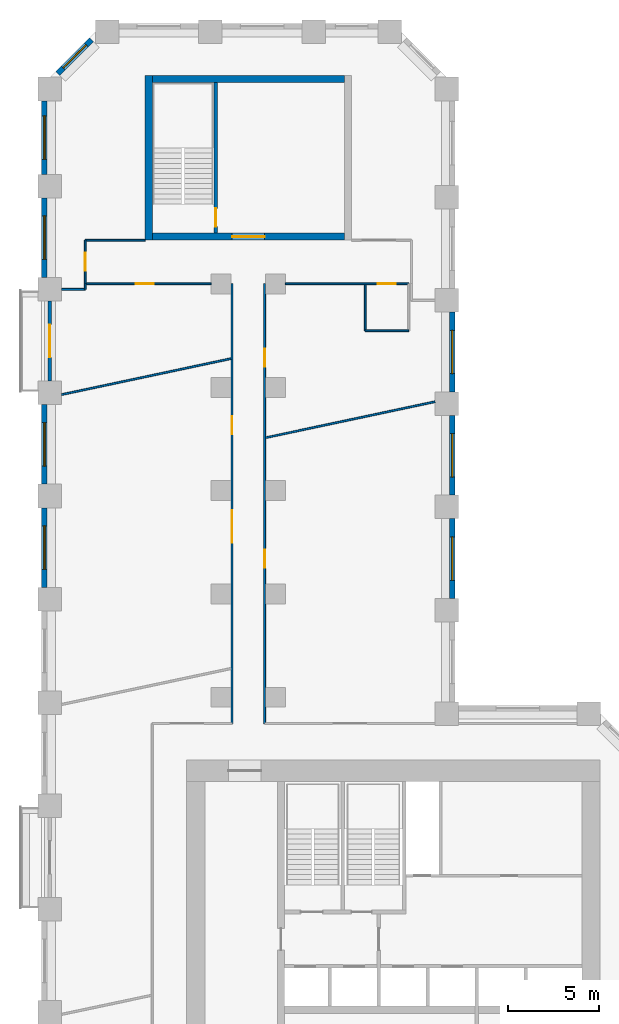
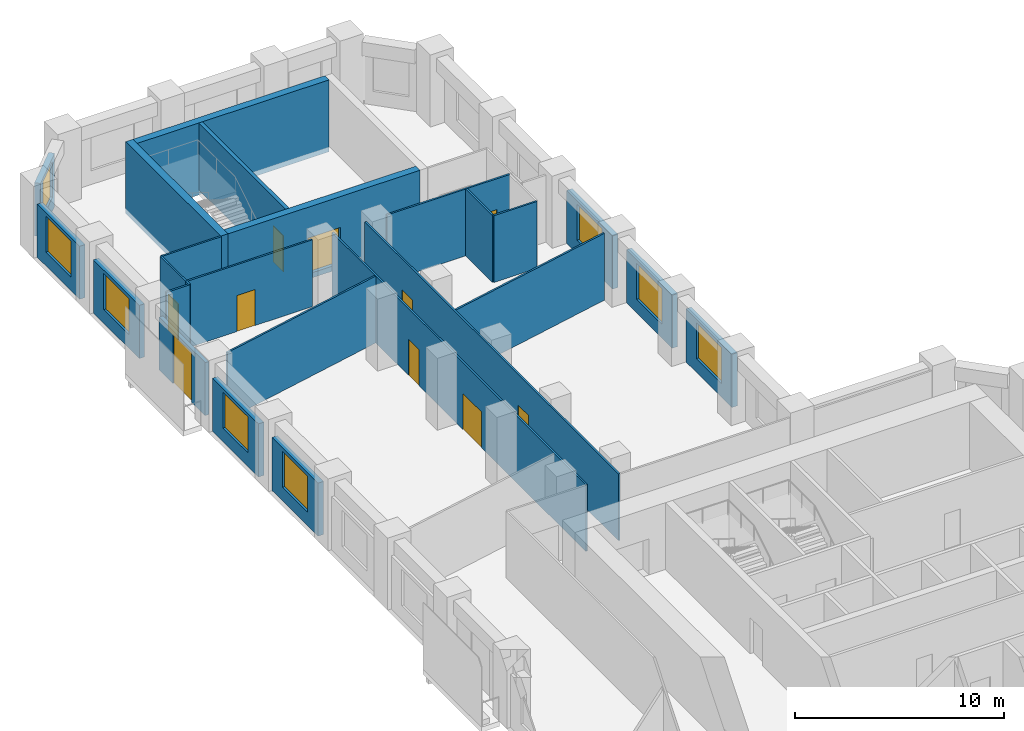
# One storey, part 8 of 11: 25 walls, 10 doors, 8 windows, 18 openings.
"""IFC4 building model written with IfcOpenShell, lengths in metres."""

from ifc_helpers import new_model, si_unit, direction, frame, frame_2d, origin, place, context, subcontext, project, spatial, rectangle, extrude, material, layer, layer_set, type_object, element, fill, save


model = new_model("IFC4")

# Units and contexts
model_context = context("Model", 3, precision=1e-05, world=origin(), true_north=direction((0.0, 1.0)))
body_context = subcontext(model_context, "Body", "Model", "MODEL_VIEW")
ifc_project = project(units=[si_unit("LENGTHUNIT", "METRE"), si_unit("AREAUNIT", "SQUARE_METRE"), si_unit("VOLUMEUNIT", "CUBIC_METRE"), si_unit("PLANEANGLEUNIT", "RADIAN"), si_unit("MASSUNIT", "GRAM", prefix="KILO")], contexts=[model_context])

# Site, building, storey
site_placement = place(None, origin())
site = spatial("IfcSite", under=ifc_project, at=site_placement, CompositionType="ELEMENT")
building_placement = place(site_placement, origin())
building = spatial("IfcBuilding", under=site, at=building_placement, Name="Meshkara Civic Tower", CompositionType="ELEMENT")
storey_placement = place(building_placement, frame((0.0, 0.0, 143.39990234375)))
storey = spatial("IfcBuildingStorey", under=building, at=storey_placement, Name="L32", CompositionType="ELEMENT", Elevation=143.39990234375)

# Wall, opening, door
ifc_material_1 = material(Name="Corridor wall 100")
ifc_layer_1 = layer(ifc_material_1, 0.10009765625)
ifc_layer_set_1 = layer_set([ifc_layer_1], Name="Corridor wall 100")
wall_type_1 = type_object("IfcWallType", Name="Corridor wall 100", PredefinedType="PARTITIONING", material=ifc_layer_set_1)
wall_1_placement = place(storey_placement, frame((2.39990234375, 63.169921875, 0.0), z_axis=(0.0, 0.0, 1.0), x_axis=(1.0, 0.0, 0.0)))
wall_1 = element("IfcWall", 1, at=wall_1_placement, inside=storey, type_object=wall_type_1, Name="L32-W001", PredefinedType="PARTITIONING", context=body_context, shape_type="SweptSolid", body=[
    extrude(rectangle(XDim=6.9501953125, YDim=0.10009765625, at=frame_2d((3.47509765625, 0.0))), origin(), (0.0, 0.0, 1.0), 3.900146484375),
])
opening_1_placement = place(wall_1_placement, frame((2.780029296875, 0.0, 0.0)))
opening_1 = element("IfcOpeningElement", 2, at=opening_1_placement, cuts=wall_1, Name="Opening L32-D023", PredefinedType="OPENING", context=body_context, shape_type="SweptSolid", body=[
    extrude(rectangle(XDim=1.0, YDim=2.10009765625, at=frame_2d((0.5, 1.050048828125))), frame((0.0, 0.06005859375, 0.0), z_axis=(0.0, -1.0, 0.0), x_axis=(1.0, 0.0, 0.0)), (0.0, 0.0, 1.0), 0.1201171875),
])
ifc_material_2 = material(Name="Door 1000 x 2100")
door_type_1 = type_object("IfcDoorType", Name="Door 1000 x 2100", OperationType="SINGLE_SWING_LEFT", PredefinedType="DOOR", material=ifc_material_2)
door_1_placement = place(opening_1_placement, origin())
door_1 = element("IfcDoor", 3, at=door_1_placement, inside=storey, type_object=door_type_1, Name="L32-D023", OperationType="SINGLE_SWING_RIGHT", OverallHeight=2.10009765625, OverallWidth=1.0, PredefinedType="DOOR", context=body_context, shape_type="SweptSolid", body=[
    extrude(rectangle(XDim=1.0, YDim=2.10009765625, at=frame_2d((0.5, 1.050048828125))), frame((0.0, 0.02490234375, 0.0), z_axis=(0.0, -1.0, 0.0), x_axis=(1.0, 0.0, 0.0)), (0.0, 0.0, 1.0), 0.050048828125),
])
fill(opening_1, door_1)

wall_2_placement = place(storey_placement, frame((2.39990234375, 65.570068359375, 0.0), z_axis=(0.0, 0.0, 1.0), x_axis=(0.0, -1.0, 0.0)))
wall_2 = element("IfcWall", 4, at=wall_2_placement, inside=storey, type_object=wall_type_1, Name="L32-W002", PredefinedType="PARTITIONING", context=body_context, shape_type="SweptSolid", body=[
    extrude(rectangle(XDim=2.400146484375, YDim=0.10009765625, at=frame_2d((1.2001953125, 0.0))), origin(), (0.0, 0.0, 1.0), 3.900146484375),
])
opening_2_placement = place(wall_2_placement, frame((0.679931640625, 0.0, 0.0)))
opening_2 = element("IfcOpeningElement", 5, at=opening_2_placement, cuts=wall_2, Name="Opening L32-D022", PredefinedType="OPENING", context=body_context, shape_type="SweptSolid", body=[
    extrude(rectangle(XDim=1.0, YDim=2.10009765625, at=frame_2d((0.5, 1.050048828125))), frame((0.0, 0.06005859375, 0.0), z_axis=(0.0, -1.0, 0.0), x_axis=(1.0, 0.0, 0.0)), (0.0, 0.0, 1.0), 0.1201171875),
])
door_2_placement = place(opening_2_placement, origin())
door_2 = element("IfcDoor", 6, at=door_2_placement, inside=storey, type_object=door_type_1, Name="L32-D022", OperationType="SINGLE_SWING_RIGHT", OverallHeight=2.10009765625, OverallWidth=1.0, PredefinedType="DOOR", context=body_context, shape_type="SweptSolid", body=[
    extrude(rectangle(XDim=1.0, YDim=2.10009765625, at=frame_2d((0.5, 1.050048828125))), frame((0.0, 0.02490234375, 0.0), z_axis=(0.0, -1.0, 0.0), x_axis=(1.0, 0.0, 0.0)), (0.0, 0.0, 1.0), 0.050048828125),
])
fill(opening_2, door_2)

# Wall
wall_3_placement = place(storey_placement, frame((5.699951171875, 65.570068359375, 0.0), z_axis=(0.0, 0.0, 1.0), x_axis=(-1.0, 0.0, 0.0)))
element("IfcWall", 7, at=wall_3_placement, inside=storey, type_object=wall_type_1, Name="L32-W003", PredefinedType="PARTITIONING", context=body_context, shape_type="SweptSolid", body=[
    extrude(rectangle(XDim=3.300048828125, YDim=0.10009765625, at=frame_2d((1.64990234375, 0.0))), origin(), (0.0, 0.0, 1.0), 3.900146484375),
])

# Wall, openings, doors
wall_4_placement = place(storey_placement, frame((10.5, 63.169921875, 0.0), z_axis=(0.0, 0.0, 1.0), x_axis=(0.0, -1.0, 0.0)))
wall_4 = element("IfcWall", 8, at=wall_4_placement, inside=storey, type_object=wall_type_1, Name="L32-W012", PredefinedType="PARTITIONING", context=body_context, shape_type="SweptSolid", body=[
    extrude(rectangle(XDim=24.27001953125, YDim=0.10009765625, at=frame_2d((12.135009765625, 0.0))), origin(), (0.0, 0.0, 1.0), 3.900146484375),
])
opening_3_placement = place(wall_4_placement, frame((12.5029296875, 0.0, 0.0)))
opening_3 = element("IfcOpeningElement", 9, at=opening_3_placement, cuts=wall_4, Name="Opening L32-D019", PredefinedType="OPENING", context=body_context, shape_type="SweptSolid", body=[
    extrude(rectangle(XDim=1.800048828125, YDim=2.10009765625, at=frame_2d((0.89990234375, 1.050048828125))), frame((0.0, 0.06005859375, 0.0), z_axis=(0.0, -1.0, 0.0), x_axis=(1.0, 0.0, 0.0)), (0.0, 0.0, 1.0), 0.1201171875),
])
opening_4_placement = place(wall_4_placement, frame((7.302978515625, 0.0, 0.0)))
opening_4 = element("IfcOpeningElement", 10, at=opening_4_placement, cuts=wall_4, Name="Opening L32-D020", PredefinedType="OPENING", context=body_context, shape_type="SweptSolid", body=[
    extrude(rectangle(XDim=1.0, YDim=2.10009765625, at=frame_2d((0.5, 1.050048828125))), frame((0.0, 0.06005859375, 0.0), z_axis=(0.0, -1.0, 0.0), x_axis=(1.0, 0.0, 0.0)), (0.0, 0.0, 1.0), 0.1201171875),
])
door_3_placement = place(opening_4_placement, origin())
door_3 = element("IfcDoor", 11, at=door_3_placement, inside=storey, type_object=door_type_1, Name="L32-D020", OperationType="SINGLE_SWING_RIGHT", OverallHeight=2.10009765625, OverallWidth=1.0, PredefinedType="DOOR", context=body_context, shape_type="SweptSolid", body=[
    extrude(rectangle(XDim=1.0, YDim=2.10009765625, at=frame_2d((0.5, 1.050048828125))), frame((0.0, 0.02490234375, 0.0), z_axis=(0.0, -1.0, 0.0), x_axis=(1.0, 0.0, 0.0)), (0.0, 0.0, 1.0), 0.050048828125),
])
fill(opening_4, door_3)
ifc_material_3 = material(Name="Door pair 1800 x 2100")
door_type_2 = type_object("IfcDoorType", Name="Door pair 1800 x 2100", OperationType="SINGLE_SWING_LEFT", PredefinedType="DOOR", material=ifc_material_3)
door_4_placement = place(opening_3_placement, origin())
door_4 = element("IfcDoor", 12, at=door_4_placement, inside=storey, type_object=door_type_2, Name="L32-D019", OperationType="DOUBLE_DOOR_SINGLE_SWING", OverallHeight=2.10009765625, OverallWidth=1.800048828125, PredefinedType="DOOR", context=body_context, shape_type="SweptSolid", body=[
    extrude(rectangle(XDim=1.800048828125, YDim=2.10009765625, at=frame_2d((0.89990234375, 1.050048828125))), frame((0.0, 0.02490234375, 0.0), z_axis=(0.0, -1.0, 0.0), x_axis=(1.0, 0.0, 0.0)), (0.0, 0.0, 1.0), 0.050048828125),
])
fill(opening_3, door_4)

wall_5_placement = place(storey_placement, frame((12.300048828125, 63.169921875, 0.0), z_axis=(0.0, 0.0, 1.0), x_axis=(0.0, -1.0, 0.0)))
wall_5 = element("IfcWall", 13, at=wall_5_placement, inside=storey, type_object=wall_type_1, Name="L32-W013", PredefinedType="PARTITIONING", context=body_context, shape_type="SweptSolid", body=[
    extrude(rectangle(XDim=24.27001953125, YDim=0.10009765625, at=frame_2d((12.135009765625, 0.0))), origin(), (0.0, 0.0, 1.0), 3.900146484375),
])
opening_5_placement = place(wall_5_placement, frame((14.678955078125, 0.0, 0.0)))
opening_5 = element("IfcOpeningElement", 14, at=opening_5_placement, cuts=wall_5, Name="Opening L32-D018", PredefinedType="OPENING", context=body_context, shape_type="SweptSolid", body=[
    extrude(rectangle(XDim=1.0, YDim=2.10009765625, at=frame_2d((0.5, 1.050048828125))), frame((0.0, 0.06005859375, 0.0), z_axis=(0.0, -1.0, 0.0), x_axis=(1.0, 0.0, 0.0)), (0.0, 0.0, 1.0), 0.1201171875),
])
opening_6_placement = place(wall_5_placement, frame((3.580078125, 0.0, 0.0)))
opening_6 = element("IfcOpeningElement", 15, at=opening_6_placement, cuts=wall_5, Name="Opening L32-D021", PredefinedType="OPENING", context=body_context, shape_type="SweptSolid", body=[
    extrude(rectangle(XDim=1.0, YDim=2.10009765625, at=frame_2d((0.5, 1.050048828125))), frame((0.0, 0.06005859375, 0.0), z_axis=(0.0, -1.0, 0.0), x_axis=(1.0, 0.0, 0.0)), (0.0, 0.0, 1.0), 0.1201171875),
])
door_5_placement = place(opening_5_placement, origin())
door_5 = element("IfcDoor", 16, at=door_5_placement, inside=storey, type_object=door_type_1, Name="L32-D018", OperationType="SINGLE_SWING_LEFT", OverallHeight=2.10009765625, OverallWidth=1.0, PredefinedType="DOOR", context=body_context, shape_type="SweptSolid", body=[
    extrude(rectangle(XDim=1.0, YDim=2.10009765625, at=frame_2d((0.5, 1.050048828125))), frame((0.0, 0.02490234375, 0.0), z_axis=(0.0, -1.0, 0.0), x_axis=(1.0, 0.0, 0.0)), (0.0, 0.0, 1.0), 0.050048828125),
])
fill(opening_5, door_5)
door_6_placement = place(opening_6_placement, origin())
door_6 = element("IfcDoor", 17, at=door_6_placement, inside=storey, type_object=door_type_1, Name="L32-D021", OperationType="SINGLE_SWING_LEFT", OverallHeight=2.10009765625, OverallWidth=1.0, PredefinedType="DOOR", context=body_context, shape_type="SweptSolid", body=[
    extrude(rectangle(XDim=1.0, YDim=2.10009765625, at=frame_2d((0.5, 1.050048828125))), frame((0.0, 0.02490234375, 0.0), z_axis=(0.0, -1.0, 0.0), x_axis=(1.0, 0.0, 0.0)), (0.0, 0.0, 1.0), 0.050048828125),
])
fill(opening_6, door_6)

# Wall, opening, door
wall_6_placement = place(storey_placement, frame((13.449951171875, 63.169921875, 0.0), z_axis=(0.0, 0.0, 1.0), x_axis=(1.0, 0.0, 0.0)))
wall_6 = element("IfcWall", 18, at=wall_6_placement, inside=storey, type_object=wall_type_1, Name="L32-W015", PredefinedType="PARTITIONING", context=body_context, shape_type="SweptSolid", body=[
    extrude(rectangle(XDim=6.800048828125, YDim=0.10009765625, at=frame_2d((3.39990234375, 0.0))), origin(), (0.0, 0.0, 1.0), 3.900146484375),
])
opening_7_placement = place(wall_6_placement, frame((5.080078125, 0.0, 0.0)))
opening_7 = element("IfcOpeningElement", 19, at=opening_7_placement, cuts=wall_6, Name="Opening L32-D025", PredefinedType="OPENING", context=body_context, shape_type="SweptSolid", body=[
    extrude(rectangle(XDim=1.0, YDim=2.10009765625, at=frame_2d((0.5, 1.050048828125))), frame((0.0, 0.06005859375, 0.0), z_axis=(0.0, -1.0, 0.0), x_axis=(1.0, 0.0, 0.0)), (0.0, 0.0, 1.0), 0.1201171875),
])
door_7_placement = place(opening_7_placement, origin())
door_7 = element("IfcDoor", 20, at=door_7_placement, inside=storey, type_object=door_type_1, Name="L32-D025", OperationType="SINGLE_SWING_RIGHT", OverallHeight=2.10009765625, OverallWidth=1.0, PredefinedType="DOOR", context=body_context, shape_type="SweptSolid", body=[
    extrude(rectangle(XDim=1.0, YDim=2.10009765625, at=frame_2d((0.5, 1.050048828125))), frame((0.0, 0.02490234375, 0.0), z_axis=(0.0, -1.0, 0.0), x_axis=(1.0, 0.0, 0.0)), (0.0, 0.0, 1.0), 0.050048828125),
])
fill(opening_7, door_7)

# Wall, opening, window
ifc_material_4 = material(Name="Insulated infill panel with bronze anodised aluminium cladding", Category="aluminium")
ifc_layer_2 = layer(ifc_material_4, 0.300048828125)
ifc_layer_set_2 = layer_set([ifc_layer_2], Name="EXTERNAL INFILL WALL 300")
wall_type_2 = type_object("IfcWallType", Name="EXTERNAL INFILL WALL 300", PredefinedType="SOLIDWALL", material=ifc_layer_set_2)
wall_7_placement = place(storey_placement, frame((22.64990234375, 45.800048828125, 0.0), z_axis=(0.0, 0.0, 1.0), x_axis=(0.0, 1.0, 0.0)))
wall_7 = element("IfcWall", 21, at=wall_7_placement, inside=storey, type_object=wall_type_2, Name="External wall", PredefinedType="SOLIDWALL", context=body_context, shape_type="SweptSolid", body=[
    extrude(rectangle(XDim=4.39990234375, YDim=0.300048828125, at=frame_2d((2.199951171875, 0.0))), origin(), (0.0, 0.0, 1.0), 3.10009765625),
])
opening_8_placement = place(wall_7_placement, frame((1.0, 0.0, 0.800048828125)))
opening_8 = element("IfcOpeningElement", 22, at=opening_8_placement, cuts=wall_7, Name="Opening W7", PredefinedType="OPENING", context=body_context, shape_type="SweptSolid", body=[
    extrude(rectangle(XDim=2.39990234375, YDim=2.10009765625, at=frame_2d((1.199951171875, 1.050048828125))), frame((0.0, 0.159912109375, 0.0), z_axis=(0.0, -1.0, 0.0), x_axis=(1.0, 0.0, 0.0)), (0.0, 0.0, 1.0), 0.320068359375),
])
ifc_material_5 = material(Name="Tinted double glazing", Category="glass")
window_type_1 = type_object("IfcWindowType", Name="WINDOW 2400x2100", PartitioningType="DOUBLE_PANEL_VERTICAL", PredefinedType="WINDOW", material=ifc_material_5)
window_1_placement = place(opening_8_placement, origin())
window_1 = element("IfcWindow", 23, at=window_1_placement, inside=storey, type_object=window_type_1, Name="Window", OverallHeight=2.10009765625, OverallWidth=2.39990234375, PartitioningType="DOUBLE_PANEL_VERTICAL", PredefinedType="WINDOW", context=body_context, shape_type="SweptSolid", body=[
    extrude(rectangle(XDim=2.39990234375, YDim=2.10009765625, at=frame_2d((1.199951171875, 1.050048828125))), frame((0.0, 0.030029296875, 0.0), z_axis=(0.0, -1.0, 0.0), x_axis=(1.0, 0.0, 0.0)), (0.0, 0.0, 1.0), 0.06005859375),
])
fill(opening_8, window_1)

wall_8_placement = place(storey_placement, frame((22.64990234375, 51.5, 0.0), z_axis=(0.0, 0.0, 1.0), x_axis=(0.0, 1.0, 0.0)))
wall_8 = element("IfcWall", 24, at=wall_8_placement, inside=storey, type_object=wall_type_2, Name="External wall", PredefinedType="SOLIDWALL", context=body_context, shape_type="SweptSolid", body=[
    extrude(rectangle(XDim=4.39990234375, YDim=0.300048828125, at=frame_2d((2.199951171875, 0.0))), origin(), (0.0, 0.0, 1.0), 3.10009765625),
])
opening_9_placement = place(wall_8_placement, frame((1.0, 0.0, 0.800048828125)))
opening_9 = element("IfcOpeningElement", 25, at=opening_9_placement, cuts=wall_8, Name="Opening W7", PredefinedType="OPENING", context=body_context, shape_type="SweptSolid", body=[
    extrude(rectangle(XDim=2.39990234375, YDim=2.10009765625, at=frame_2d((1.199951171875, 1.050048828125))), frame((0.0, 0.159912109375, 0.0), z_axis=(0.0, -1.0, 0.0), x_axis=(1.0, 0.0, 0.0)), (0.0, 0.0, 1.0), 0.320068359375),
])
window_2_placement = place(opening_9_placement, origin())
window_2 = element("IfcWindow", 26, at=window_2_placement, inside=storey, type_object=window_type_1, Name="Window", OverallHeight=2.10009765625, OverallWidth=2.39990234375, PartitioningType="DOUBLE_PANEL_VERTICAL", PredefinedType="WINDOW", context=body_context, shape_type="SweptSolid", body=[
    extrude(rectangle(XDim=2.39990234375, YDim=2.10009765625, at=frame_2d((1.199951171875, 1.050048828125))), frame((0.0, 0.030029296875, 0.0), z_axis=(0.0, -1.0, 0.0), x_axis=(1.0, 0.0, 0.0)), (0.0, 0.0, 1.0), 0.06005859375),
])
fill(opening_9, window_2)

wall_9_placement = place(storey_placement, frame((22.64990234375, 57.199951171875, 0.0), z_axis=(0.0, 0.0, 1.0), x_axis=(0.0, 1.0, 0.0)))
wall_9 = element("IfcWall", 27, at=wall_9_placement, inside=storey, type_object=wall_type_2, Name="External wall", PredefinedType="SOLIDWALL", context=body_context, shape_type="SweptSolid", body=[
    extrude(rectangle(XDim=4.400146484375, YDim=0.300048828125, at=frame_2d((2.2001953125, 0.0))), origin(), (0.0, 0.0, 1.0), 3.10009765625),
])
opening_10_placement = place(wall_9_placement, frame((1.0, 0.0, 0.800048828125)))
opening_10 = element("IfcOpeningElement", 28, at=opening_10_placement, cuts=wall_9, Name="Opening W7", PredefinedType="OPENING", context=body_context, shape_type="SweptSolid", body=[
    extrude(rectangle(XDim=2.39990234375, YDim=2.10009765625, at=frame_2d((1.199951171875, 1.050048828125))), frame((0.0, 0.159912109375, 0.0), z_axis=(0.0, -1.0, 0.0), x_axis=(1.0, 0.0, 0.0)), (0.0, 0.0, 1.0), 0.320068359375),
])
window_3_placement = place(opening_10_placement, origin())
window_3 = element("IfcWindow", 29, at=window_3_placement, inside=storey, type_object=window_type_1, Name="Window", OverallHeight=2.10009765625, OverallWidth=2.39990234375, PartitioningType="DOUBLE_PANEL_VERTICAL", PredefinedType="WINDOW", context=body_context, shape_type="SweptSolid", body=[
    extrude(rectangle(XDim=2.39990234375, YDim=2.10009765625, at=frame_2d((1.199951171875, 1.050048828125))), frame((0.0, 0.030029296875, 0.0), z_axis=(0.0, -1.0, 0.0), x_axis=(1.0, 0.0, 0.0)), (0.0, 0.0, 1.0), 0.06005859375),
])
fill(opening_10, window_3)

wall_10_placement = place(storey_placement, frame((2.743896484375, 76.632080078125, 0.0), z_axis=(0.0, 0.0, 1.0), x_axis=(-0.707060274772, -0.707153284542, 0.0)))
wall_10 = element("IfcWall", 30, at=wall_10_placement, inside=storey, type_object=wall_type_2, Name="External wall", PredefinedType="SOLIDWALL", context=body_context, shape_type="SweptSolid", body=[
    extrude(rectangle(XDim=2.625, YDim=0.300048828125, at=frame_2d((1.3125, 0.0))), origin(), (0.0, 0.0, 1.0), 3.10009765625),
])
opening_11_placement = place(wall_10_placement, frame((0.412109375, 0.0, 0.800048828125)))
opening_11 = element("IfcOpeningElement", 31, at=opening_11_placement, cuts=wall_10, Name="Opening W9", PredefinedType="OPENING", context=body_context, shape_type="SweptSolid", body=[
    extrude(rectangle(XDim=1.800048828125, YDim=2.10009765625, at=frame_2d((0.89990234375, 1.050048828125))), frame((0.0, 0.159912109375, 0.0), z_axis=(0.0, -1.0, 0.0), x_axis=(1.0, 0.0, 0.0)), (0.0, 0.0, 1.0), 0.320068359375),
])
ifc_material_6 = material(Name="Tinted double glazing", Category="glass")
window_type_2 = type_object("IfcWindowType", Name="WINDOW 1800x2100", PartitioningType="DOUBLE_PANEL_VERTICAL", PredefinedType="WINDOW", material=ifc_material_6)
window_4_placement = place(opening_11_placement, origin())
window_4 = element("IfcWindow", 32, at=window_4_placement, inside=storey, type_object=window_type_2, Name="Window", OverallHeight=2.10009765625, OverallWidth=1.800048828125, PartitioningType="DOUBLE_PANEL_VERTICAL", PredefinedType="WINDOW", context=body_context, shape_type="SweptSolid", body=[
    extrude(rectangle(XDim=1.800048828125, YDim=2.10009765625, at=frame_2d((0.89990234375, 1.050048828125))), frame((0.0, 0.030029296875, 0.0), z_axis=(0.0, -1.0, 0.0), x_axis=(1.0, 0.0, 0.0)), (0.0, 0.0, 1.0), 0.06005859375),
])
fill(opening_11, window_4)

wall_11_placement = place(storey_placement, frame((0.14990234375, 73.263916015625, 0.0), z_axis=(0.0, 0.0, 1.0), x_axis=(0.0, -1.0, 0.0)))
wall_11 = element("IfcWall", 33, at=wall_11_placement, inside=storey, type_object=wall_type_2, Name="External wall", PredefinedType="SOLIDWALL", context=body_context, shape_type="SweptSolid", body=[
    extrude(rectangle(XDim=4.058837890625, YDim=0.300048828125, at=frame_2d((2.029296875, 0.0))), origin(), (0.0, 0.0, 1.0), 3.10009765625),
])
opening_12_placement = place(wall_11_placement, frame((0.8291015625, 0.0, 0.800048828125)))
opening_12 = element("IfcOpeningElement", 34, at=opening_12_placement, cuts=wall_11, Name="Opening W7", PredefinedType="OPENING", context=body_context, shape_type="SweptSolid", body=[
    extrude(rectangle(XDim=2.39990234375, YDim=2.10009765625, at=frame_2d((1.199951171875, 1.050048828125))), frame((0.0, 0.159912109375, 0.0), z_axis=(0.0, -1.0, 0.0), x_axis=(1.0, 0.0, 0.0)), (0.0, 0.0, 1.0), 0.320068359375),
])
window_5_placement = place(opening_12_placement, origin())
window_5 = element("IfcWindow", 35, at=window_5_placement, inside=storey, type_object=window_type_1, Name="Window", OverallHeight=2.10009765625, OverallWidth=2.39990234375, PartitioningType="DOUBLE_PANEL_VERTICAL", PredefinedType="WINDOW", context=body_context, shape_type="SweptSolid", body=[
    extrude(rectangle(XDim=2.39990234375, YDim=2.10009765625, at=frame_2d((1.199951171875, 1.050048828125))), frame((0.0, 0.030029296875, 0.0), z_axis=(0.0, -1.0, 0.0), x_axis=(1.0, 0.0, 0.0)), (0.0, 0.0, 1.0), 0.06005859375),
])
fill(opening_12, window_5)

wall_12_placement = place(storey_placement, frame((0.14990234375, 67.905029296875, 0.0), z_axis=(0.0, 0.0, 1.0), x_axis=(0.0, -1.0, 0.0)))
wall_12 = element("IfcWall", 36, at=wall_12_placement, inside=storey, type_object=wall_type_2, Name="External wall", PredefinedType="SOLIDWALL", context=body_context, shape_type="SweptSolid", body=[
    extrude(rectangle(XDim=4.400146484375, YDim=0.300048828125, at=frame_2d((2.2001953125, 0.0))), origin(), (0.0, 0.0, 1.0), 3.10009765625),
])
opening_13_placement = place(wall_12_placement, frame((1.0, 0.0, 0.800048828125)))
opening_13 = element("IfcOpeningElement", 37, at=opening_13_placement, cuts=wall_12, Name="Opening W7", PredefinedType="OPENING", context=body_context, shape_type="SweptSolid", body=[
    extrude(rectangle(XDim=2.39990234375, YDim=2.10009765625, at=frame_2d((1.199951171875, 1.050048828125))), frame((0.0, 0.159912109375, 0.0), z_axis=(0.0, -1.0, 0.0), x_axis=(1.0, 0.0, 0.0)), (0.0, 0.0, 1.0), 0.320068359375),
])
window_6_placement = place(opening_13_placement, origin())
window_6 = element("IfcWindow", 38, at=window_6_placement, inside=storey, type_object=window_type_1, Name="Window", OverallHeight=2.10009765625, OverallWidth=2.39990234375, PartitioningType="DOUBLE_PANEL_VERTICAL", PredefinedType="WINDOW", context=body_context, shape_type="SweptSolid", body=[
    extrude(rectangle(XDim=2.39990234375, YDim=2.10009765625, at=frame_2d((1.199951171875, 1.050048828125))), frame((0.0, 0.030029296875, 0.0), z_axis=(0.0, -1.0, 0.0), x_axis=(1.0, 0.0, 0.0)), (0.0, 0.0, 1.0), 0.06005859375),
])
fill(opening_13, window_6)

wall_13_placement = place(storey_placement, frame((0.14990234375, 56.5048828125, 0.0), z_axis=(0.0, 0.0, 1.0), x_axis=(0.0, -1.0, 0.0)))
wall_13 = element("IfcWall", 39, at=wall_13_placement, inside=storey, type_object=wall_type_2, Name="External wall", PredefinedType="SOLIDWALL", context=body_context, shape_type="SweptSolid", body=[
    extrude(rectangle(XDim=4.39990234375, YDim=0.300048828125, at=frame_2d((2.199951171875, 0.0))), origin(), (0.0, 0.0, 1.0), 3.10009765625),
])
opening_14_placement = place(wall_13_placement, frame((1.0, 0.0, 0.800048828125)))
opening_14 = element("IfcOpeningElement", 40, at=opening_14_placement, cuts=wall_13, Name="Opening W7", PredefinedType="OPENING", context=body_context, shape_type="SweptSolid", body=[
    extrude(rectangle(XDim=2.39990234375, YDim=2.10009765625, at=frame_2d((1.199951171875, 1.050048828125))), frame((0.0, 0.159912109375, 0.0), z_axis=(0.0, -1.0, 0.0), x_axis=(1.0, 0.0, 0.0)), (0.0, 0.0, 1.0), 0.320068359375),
])
window_7_placement = place(opening_14_placement, origin())
window_7 = element("IfcWindow", 41, at=window_7_placement, inside=storey, type_object=window_type_1, Name="Window", OverallHeight=2.10009765625, OverallWidth=2.39990234375, PartitioningType="DOUBLE_PANEL_VERTICAL", PredefinedType="WINDOW", context=body_context, shape_type="SweptSolid", body=[
    extrude(rectangle(XDim=2.39990234375, YDim=2.10009765625, at=frame_2d((1.199951171875, 1.050048828125))), frame((0.0, 0.030029296875, 0.0), z_axis=(0.0, -1.0, 0.0), x_axis=(1.0, 0.0, 0.0)), (0.0, 0.0, 1.0), 0.06005859375),
])
fill(opening_14, window_7)

wall_14_placement = place(storey_placement, frame((0.14990234375, 50.804931640625, 0.0), z_axis=(0.0, 0.0, 1.0), x_axis=(0.0, -1.0, 0.0)))
wall_14 = element("IfcWall", 42, at=wall_14_placement, inside=storey, type_object=wall_type_2, Name="External wall", PredefinedType="SOLIDWALL", context=body_context, shape_type="SweptSolid", body=[
    extrude(rectangle(XDim=4.39990234375, YDim=0.300048828125, at=frame_2d((2.199951171875, 0.0))), origin(), (0.0, 0.0, 1.0), 3.10009765625),
])
opening_15_placement = place(wall_14_placement, frame((1.0, 0.0, 0.800048828125)))
opening_15 = element("IfcOpeningElement", 43, at=opening_15_placement, cuts=wall_14, Name="Opening W7", PredefinedType="OPENING", context=body_context, shape_type="SweptSolid", body=[
    extrude(rectangle(XDim=2.39990234375, YDim=2.10009765625, at=frame_2d((1.199951171875, 1.050048828125))), frame((0.0, 0.159912109375, 0.0), z_axis=(0.0, -1.0, 0.0), x_axis=(1.0, 0.0, 0.0)), (0.0, 0.0, 1.0), 0.320068359375),
])
window_8_placement = place(opening_15_placement, origin())
window_8 = element("IfcWindow", 44, at=window_8_placement, inside=storey, type_object=window_type_1, Name="Window", OverallHeight=2.10009765625, OverallWidth=2.39990234375, PartitioningType="DOUBLE_PANEL_VERTICAL", PredefinedType="WINDOW", context=body_context, shape_type="SweptSolid", body=[
    extrude(rectangle(XDim=2.39990234375, YDim=2.10009765625, at=frame_2d((1.199951171875, 1.050048828125))), frame((0.0, 0.030029296875, 0.0), z_axis=(0.0, -1.0, 0.0), x_axis=(1.0, 0.0, 0.0)), (0.0, 0.0, 1.0), 0.06005859375),
])
fill(opening_15, window_8)

# Wall
ifc_material_7 = material(Name="Concrete C70", Category="concrete")
ifc_layer_3 = layer(ifc_material_7, 0.39990234375)
ifc_layer_set_3 = layer_set([ifc_layer_3], Name="End core ring wall 400 C70")
wall_type_3 = type_object("IfcWallType", Name="End core ring wall 400 C70", PredefinedType="SHEAR", material=ifc_layer_set_3)
wall_15_placement = place(storey_placement, frame((5.89990234375, 65.570068359375, -0.2998046875), z_axis=(0.0, 0.0, 1.0), x_axis=(0.0, 1.0, 0.0)))
element("IfcWall", 45, at=wall_15_placement, inside=storey, type_object=wall_type_3, Name="L32-C025", PredefinedType="SHEAR", context=body_context, shape_type="SweptSolid", body=[
    extrude(rectangle(XDim=9.099853515625, YDim=0.39990234375, at=frame_2d((4.5498046875, 0.0))), origin(), (0.0, 0.0, 1.0), 4.199951171875),
])

# Wall, opening, door
wall_16_placement = place(storey_placement, frame((6.10009765625, 65.77001953125, -0.2998046875), z_axis=(0.0, 0.0, 1.0), x_axis=(1.0, 0.0, 0.0)))
wall_16 = element("IfcWall", 46, at=wall_16_placement, inside=storey, type_object=wall_type_3, Name="L32-C027", PredefinedType="SHEAR", context=body_context, shape_type="SweptSolid", body=[
    extrude(rectangle(XDim=10.599853515625, YDim=0.39990234375, at=frame_2d((5.2998046875, 0.0))), origin(), (0.0, 0.0, 1.0), 4.199951171875),
])
opening_16_placement = place(wall_16_placement, frame((4.39990234375, 0.0, 0.300048828125)))
opening_16 = element("IfcOpeningElement", 47, at=opening_16_placement, cuts=wall_16, Name="Opening L32-K102", PredefinedType="OPENING", context=body_context, shape_type="SweptSolid", body=[
    extrude(rectangle(XDim=1.800048828125, YDim=2.10009765625, at=frame_2d((0.89990234375, 1.050048828125))), frame((0.0, 0.2099609375, 0.0), z_axis=(0.0, -1.0, 0.0), x_axis=(1.0, 0.0, 0.0)), (0.0, 0.0, 1.0), 0.419921875),
])
ifc_material_8 = material(Name="Fire-rated door leaf in steel frame", Category="steel")
door_type_3 = type_object("IfcDoorType", Name="Core double door 1800 EI 60", OperationType="DOUBLE_DOOR_SINGLE_SWING", PredefinedType="DOOR", material=ifc_material_8)
door_8_placement = place(opening_16_placement, origin())
door_8 = element("IfcDoor", 48, at=door_8_placement, inside=storey, type_object=door_type_3, Name="L32-K102", OperationType="DOUBLE_DOOR_SINGLE_SWING", OverallHeight=2.10009765625, OverallWidth=1.800048828125, PredefinedType="DOOR", context=body_context, shape_type="SweptSolid", body=[
    extrude(rectangle(XDim=1.800048828125, YDim=2.10009765625, at=frame_2d((0.89990234375, 1.050048828125))), frame((0.0, 0.02490234375, 0.0), z_axis=(0.0, -1.0, 0.0), x_axis=(1.0, 0.0, 0.0)), (0.0, 0.0, 1.0), 0.050048828125),
])
fill(opening_16, door_8)

# Wall
wall_17_placement = place(storey_placement, frame((6.10009765625, 74.469970703125, -0.2998046875), z_axis=(0.0, 0.0, 1.0), x_axis=(1.0, 0.0, 0.0)))
element("IfcWall", 49, at=wall_17_placement, inside=storey, type_object=wall_type_3, Name="L32-C028", PredefinedType="SHEAR", context=body_context, shape_type="SweptSolid", body=[
    extrude(rectangle(XDim=10.599853515625, YDim=0.39990234375, at=frame_2d((5.2998046875, 0.0))), origin(), (0.0, 0.0, 1.0), 4.199951171875),
])

# Wall, opening, door
ifc_material_9 = material(Name="Insulated infill panel with bronze anodised aluminium cladding", Category="aluminium")
ifc_layer_4 = layer(ifc_material_9, 0.199951171875)
ifc_layer_set_4 = layer_set([ifc_layer_4], Name="LOGGIA BACK WALL 200")
wall_type_4 = type_object("IfcWallType", Name="LOGGIA BACK WALL 200", PredefinedType="SOLIDWALL", material=ifc_layer_set_4)
wall_18_placement = place(storey_placement, frame((0.449951171875, 62.2041015625, 0.0), z_axis=(0.0, 0.0, 1.0), x_axis=(0.0, -1.0, 0.0)))
wall_18 = element("IfcWall", 50, at=wall_18_placement, inside=storey, type_object=wall_type_4, Name="Loggia wall", PredefinedType="SOLIDWALL", context=body_context, shape_type="SweptSolid", body=[
    extrude(rectangle(XDim=4.399169921875, YDim=0.199951171875, at=frame_2d((2.19970703125, 0.0))), origin(), (0.0, 0.0, 1.0), 3.10009765625),
])
opening_17_placement = place(wall_18_placement, frame((1.299072265625, 0.0, 0.0)))
opening_17 = element("IfcOpeningElement", 51, at=opening_17_placement, cuts=wall_18, Name="Opening L32-L001", PredefinedType="OPENING", context=body_context, shape_type="SweptSolid", body=[
    extrude(rectangle(XDim=1.800048828125, YDim=2.89990234375, at=frame_2d((0.89990234375, 1.449951171875))), frame((0.0, 0.10986328125, 0.0), z_axis=(0.0, -1.0, 0.0), x_axis=(1.0, 0.0, 0.0)), (0.0, 0.0, 1.0), 0.219970703125),
])
ifc_material_10 = material(Name="Tinted double glazing", Category="glass")
door_type_4 = type_object("IfcDoorType", Name="LOGGIA DOOR 1800x2900", OperationType="DOUBLE_DOOR_SINGLE_SWING", PredefinedType="DOOR", material=ifc_material_10)
door_9_placement = place(opening_17_placement, origin())
door_9 = element("IfcDoor", 52, at=door_9_placement, inside=storey, type_object=door_type_4, Name="L32-L001", OperationType="DOUBLE_DOOR_SINGLE_SWING", OverallHeight=2.89990234375, OverallWidth=1.800048828125, PredefinedType="DOOR", context=body_context, shape_type="SweptSolid", body=[
    extrude(rectangle(XDim=1.800048828125, YDim=2.89990234375, at=frame_2d((0.89990234375, 1.449951171875))), frame((0.0, 0.02490234375, 0.0), z_axis=(0.0, -1.0, 0.0), x_axis=(1.0, 0.0, 0.0)), (0.0, 0.0, 1.0), 0.050048828125),
])
fill(opening_17, door_9)

# Walls
ifc_material_11 = material(Name="Partition 100")
ifc_layer_5 = layer(ifc_material_11, 0.10009765625)
ifc_layer_set_5 = layer_set([ifc_layer_5], Name="Partition 100")
wall_type_5 = type_object("IfcWallType", Name="Partition 100", PredefinedType="PARTITIONING", material=ifc_layer_set_5)
wall_19_placement = place(storey_placement, frame((2.39990234375, 62.85498046875, 0.0), z_axis=(0.0, 0.0, 1.0), x_axis=(-1.0, 0.0, 0.0)))
element("IfcWall", 53, at=wall_19_placement, inside=storey, type_object=wall_type_5, Name="L32-W031", PredefinedType="PARTITIONING", context=body_context, shape_type="SweptSolid", body=[
    extrude(rectangle(XDim=1.2998046875, YDim=0.10009765625, at=frame_2d((0.64990234375, 0.0))), origin(), (0.0, 0.0, 1.0), 3.900146484375),
])
wall_20_placement = place(storey_placement, frame((2.39990234375, 63.174072265625, 0.0), z_axis=(0.0, 0.0, 1.0), x_axis=(0.0, -1.0, 0.0)))
element("IfcWall", 54, at=wall_20_placement, inside=storey, type_object=wall_type_5, Name="L32-W032", PredefinedType="PARTITIONING", context=body_context, shape_type="SweptSolid", body=[
    extrude(rectangle(XDim=0.319091796875, YDim=0.10009765625, at=frame_2d((0.15966796875, 0.0))), origin(), (0.0, 0.0, 1.0), 3.900146484375),
])
wall_21_placement = place(storey_placement, frame((10.43994140625, 59.033935546875, 0.0), z_axis=(0.0, 0.0, 1.0), x_axis=(-0.978134931407, -0.207971286388, 0.0)))
element("IfcWall", 55, at=wall_21_placement, inside=storey, type_object=wall_type_5, Name="L32-W037", PredefinedType="PARTITIONING", context=body_context, shape_type="SweptSolid", body=[
    extrude(rectangle(XDim=9.548583984375, YDim=0.10009765625, at=frame_2d((4.7744140625, 0.0))), origin(), (0.0, 0.0, 1.0), 3.900146484375),
])
wall_22_placement = place(storey_placement, frame((17.85009765625, 60.570068359375, 0.0), z_axis=(0.0, 0.0, 1.0), x_axis=(0.0, 1.0, 0.0)))
element("IfcWall", 56, at=wall_22_placement, inside=storey, type_object=wall_type_5, Name="L32-W038", PredefinedType="PARTITIONING", context=body_context, shape_type="SweptSolid", body=[
    extrude(rectangle(XDim=2.550048828125, YDim=0.10009765625, at=frame_2d((1.27490234375, 0.0))), origin(), (0.0, 0.0, 1.0), 3.900146484375),
])
wall_23_placement = place(storey_placement, frame((20.25, 60.570068359375, 0.0), z_axis=(0.0, 0.0, 1.0), x_axis=(-1.0, 0.0, 0.0)))
element("IfcWall", 57, at=wall_23_placement, inside=storey, type_object=wall_type_5, Name="L32-W039", PredefinedType="PARTITIONING", context=body_context, shape_type="SweptSolid", body=[
    extrude(rectangle(XDim=2.39990234375, YDim=0.10009765625, at=frame_2d((1.199951171875, 0.0))), origin(), (0.0, 0.0, 1.0), 3.900146484375),
])
wall_24_placement = place(storey_placement, frame((21.699951171875, 56.656005859375, 0.0), z_axis=(0.0, 0.0, 1.0), x_axis=(-0.978150532424, -0.207897897824, 0.0)))
element("IfcWall", 58, at=wall_24_placement, inside=storey, type_object=wall_type_5, Name="L32-W042", PredefinedType="PARTITIONING", context=body_context, shape_type="SweptSolid", body=[
    extrude(rectangle(XDim=9.548583984375, YDim=0.10009765625, at=frame_2d((4.7744140625, 0.0))), origin(), (0.0, 0.0, 1.0), 3.900146484375),
])

# Wall, opening, door
ifc_material_12 = material(Name="Concrete C40/50", Category="concrete")
ifc_layer_6 = layer(ifc_material_12, 0.199951171875)
ifc_layer_set_6 = layer_set([ifc_layer_6], Name="Stair enclosure wall 200 C40/50")
wall_type_6 = type_object("IfcWallType", Name="Stair enclosure wall 200 C40/50", PredefinedType="SOLIDWALL", material=ifc_layer_set_6)
wall_25_placement = place(storey_placement, frame((9.60009765625, 65.969970703125, 0.0), z_axis=(0.0, 0.0, 1.0), x_axis=(0.0, 1.0, 0.0)))
wall_25 = element("IfcWall", 59, at=wall_25_placement, inside=storey, type_object=wall_type_6, Name="L32-C029", PredefinedType="SOLIDWALL", context=body_context, shape_type="SweptSolid", body=[
    extrude(rectangle(XDim=8.300048828125, YDim=0.199951171875, at=frame_2d((4.14990234375, 0.0))), origin(), (0.0, 0.0, 1.0), 3.900146484375),
])
opening_18_placement = place(wall_25_placement, frame((0.35009765625, 0.0, 0.0)))
opening_18 = element("IfcOpeningElement", 60, at=opening_18_placement, cuts=wall_25, Name="Opening L32-K101", PredefinedType="OPENING", context=body_context, shape_type="SweptSolid", body=[
    extrude(rectangle(XDim=1.0, YDim=2.10009765625, at=frame_2d((0.5, 1.050048828125))), frame((0.0, 0.10986328125, 0.0), z_axis=(0.0, -1.0, 0.0), x_axis=(1.0, 0.0, 0.0)), (0.0, 0.0, 1.0), 0.219970703125),
])
ifc_material_13 = material(Name="Fire-rated door leaf in steel frame", Category="steel")
door_type_5 = type_object("IfcDoorType", Name="Stair door 1000 EI 120", OperationType="SINGLE_SWING_LEFT", PredefinedType="DOOR", material=ifc_material_13)
door_10_placement = place(opening_18_placement, origin())
door_10 = element("IfcDoor", 61, at=door_10_placement, inside=storey, type_object=door_type_5, Name="L32-K101", OperationType="SINGLE_SWING_RIGHT", OverallHeight=2.10009765625, OverallWidth=1.0, PredefinedType="DOOR", context=body_context, shape_type="SweptSolid", body=[
    extrude(rectangle(XDim=1.0, YDim=2.10009765625, at=frame_2d((0.5, 1.050048828125))), frame((0.0, 0.02490234375, 0.0), z_axis=(0.0, -1.0, 0.0), x_axis=(1.0, 0.0, 0.0)), (0.0, 0.0, 1.0), 0.050048828125),
])
fill(opening_18, door_10)

save(model, "model.ifc")
